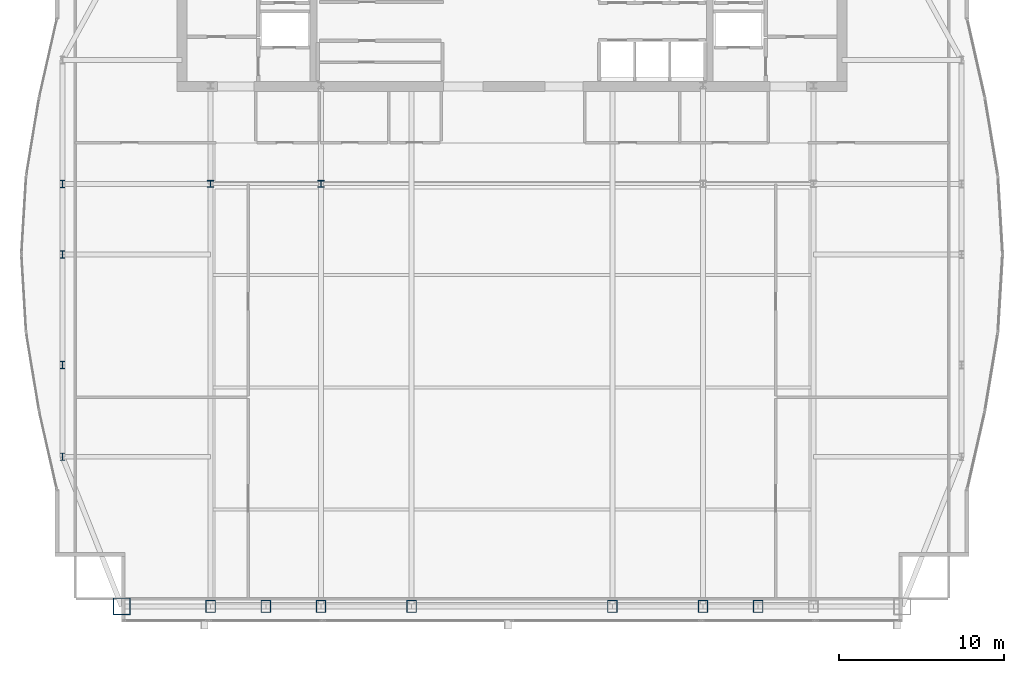
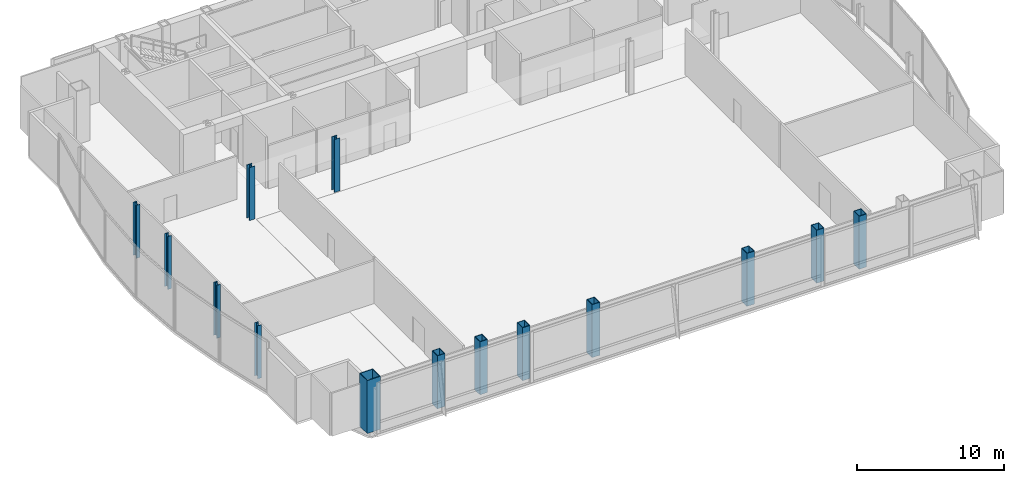
# One storey, part 1 of 28: 14 columns.
"""IFC4 building model written with IfcOpenShell, lengths in metres."""

import ifcopenshell
import ifcopenshell.guid

model = None  # the IFC model being written
_history = None  # IfcOwnerHistory: only IFC2X3 demands one
_inside = {}  # id of a spatial element -> (the spatial element, [elements in it])
_under = {}  # id of a project, library or spatial element -> (it, [spatial elements below it])
_declared = {}  # id of a project -> (the project, [libraries it declares])
_typed = {}  # id of a type object -> (the type object, [elements of that type])
_made_of = {}  # id of a material, layer set ... -> (it, [elements and type objects made of it])


def new_model(schema):
    """Start an empty IFC model of exactly this schema.

    Asked for "IFC4X3", IfcOpenShell would pick the latest addendum, in which some entities
    have other attributes; the version numbers below select the first issue.
    IFC2X3 requires an IfcOwnerHistory on every rooted entity: one is made here for all.
    """
    global model, _history
    if schema == "IFC4X3":
        model = ifcopenshell.file(schema_version=(4, 3, 0, 0))
    else:
        model = ifcopenshell.file(schema=schema)
    _inside.clear()
    _under.clear()
    _declared.clear()
    _typed.clear()
    _made_of.clear()
    _history = None
    if model.schema == "IFC2X3":
        org = make("IfcOrganization", Name="unknown")
        user = make(
            "IfcPersonAndOrganization",
            ThePerson=make("IfcPerson", FamilyName="unknown"),
            TheOrganization=org,
        )
        app = make(
            "IfcApplication",
            ApplicationDeveloper=org,
            Version="unknown",
            ApplicationFullName="unknown",
            ApplicationIdentifier="unknown",
        )
        _history = make(
            "IfcOwnerHistory",
            OwningUser=user,
            OwningApplication=app,
            ChangeAction="ADDED",
            CreationDate=0,
        )
    return model


def make(cls, **values):
    """One entity of the class cls with the attributes given. An attribute that is None is left unset."""
    return model.create_entity(
        cls, **{name: value for name, value in values.items() if value is not None}
    )


def rooted(cls, **values):
    """An entity with a GlobalId (a new one), such as an element, a storey or a relation."""
    return make(cls, GlobalId=ifcopenshell.guid.new(), OwnerHistory=_history, **values)


def si_unit(unit_type, name, prefix=None):
    """IfcSIUnit, for example si_unit("LENGTHUNIT", "METRE", prefix="MILLI")."""
    return make("IfcSIUnit", UnitType=unit_type, Prefix=prefix, Name=name)


def assignment(units):
    """IfcUnitAssignment: the units of a project."""
    return None if units is None else make("IfcUnitAssignment", Units=units)


def point(xyz):
    """IfcCartesianPoint."""
    return None if xyz is None else make("IfcCartesianPoint", Coordinates=xyz)


def direction(xyz):
    """IfcDirection."""
    return None if xyz is None else make("IfcDirection", DirectionRatios=xyz)


def frame(location, z_axis=None, x_axis=None):
    """IfcAxis2Placement3D, a coordinate frame: its origin and axes. An axis left out is left unset."""
    return make(
        "IfcAxis2Placement3D",
        Location=point(location),
        Axis=direction(z_axis),
        RefDirection=direction(x_axis),
    )


def frame_2d(location, x_axis=None):
    """IfcAxis2Placement2D, a coordinate frame in the plane: its origin and x axis."""
    return make(
        "IfcAxis2Placement2D", Location=point(location), RefDirection=direction(x_axis)
    )


def origin():
    """The frame at (0, 0, 0) with its axes left unset."""
    return frame((0.0, 0.0, 0.0))


def origin_2d():
    """The frame at (0, 0) in the plane with its x axis left unset."""
    return frame_2d((0.0, 0.0))


def place(relative_to, where):
    """IfcLocalPlacement: puts the frame where relative to a parent placement (None: the world)."""
    return make(
        "IfcLocalPlacement", PlacementRelTo=relative_to, RelativePlacement=where
    )


def context(
    kind, dimensions, precision=None, world=None, true_north=None, identifier=None
):
    """IfcGeometricRepresentationContext, for example the 3D "Model" context."""
    return make(
        "IfcGeometricRepresentationContext",
        ContextIdentifier=identifier,
        ContextType=kind,
        CoordinateSpaceDimension=dimensions,
        Precision=precision,
        WorldCoordinateSystem=world,
        TrueNorth=true_north,
    )


def subcontext(parent, identifier, kind, view, scale=None):
    """IfcGeometricRepresentationSubContext, for example "Body" below "Model"."""
    return make(
        "IfcGeometricRepresentationSubContext",
        ContextIdentifier=identifier,
        ContextType=kind,
        ParentContext=parent,
        TargetScale=scale,
        TargetView=view,
    )


def project(units=None, contexts=None):
    """IfcProject with its units and contexts."""
    return rooted(
        "IfcProject",
        Name="project",
        RepresentationContexts=contexts,
        UnitsInContext=assignment(units),
    )


def spatial(cls, under=None, at=None, **own):
    """A site, building, storey or space (cls), placed at a placement, below another one or the project."""
    s = rooted(cls, ObjectPlacement=at, **own)
    if under is not None:
        _under.setdefault(under.id(), (under, []))[1].append(s)
    return s


def profile(cls, at=None, kind="AREA", **sizes):
    """A parametric profile (cls). Its sizes go by their IFC names, for example OverallWidth=200.0."""
    return make(cls, ProfileType=kind, Position=at, **sizes)


def hollow_rectangle(**sizes):
    """IfcRectangleHollowProfileDef."""
    return profile("IfcRectangleHollowProfileDef", **sizes)


def i_section(**sizes):
    """IfcIShapeProfileDef."""
    return profile("IfcIShapeProfileDef", **sizes)


def extrude(swept, where, along, depth):
    """IfcExtrudedAreaSolid: the profile swept, set in the frame where, extruded along a direction by depth."""
    return make(
        "IfcExtrudedAreaSolid",
        SweptArea=swept,
        Position=where,
        ExtrudedDirection=direction(along),
        Depth=depth,
    )


def shape(context_of_items, identifier, shape_type, items):
    """IfcShapeRepresentation: the items that make up one representation, for example the "Body"."""
    return make(
        "IfcShapeRepresentation",
        ContextOfItems=context_of_items,
        RepresentationIdentifier=identifier,
        RepresentationType=shape_type,
        Items=items,
    )


def material(Name=None, Category=None):
    """IfcMaterial."""
    return make("IfcMaterial", Name=Name, Category=Category)


def material_profile(
    of_material, cross_section, Name=None, Category=None, Priority=None
):
    """IfcMaterialProfile: a cross section and its material."""
    return make(
        "IfcMaterialProfile",
        Name=Name,
        Material=of_material,
        Profile=cross_section,
        Priority=Priority,
        Category=Category,
    )


def profile_set(profiles, Name=None, composite=None):
    """IfcMaterialProfileSet."""
    return make(
        "IfcMaterialProfileSet",
        Name=Name,
        MaterialProfiles=profiles,
        CompositeProfile=composite,
    )


def made_of(thing, what):
    """Note that an element or type object is made of a material, layer set ...; save() writes the relation."""
    if what is not None:
        _made_of.setdefault(what.id(), (what, []))[1].append(thing)
    return thing


def type_object(cls, material=None, **own):
    """A type object (cls), such as IfcWallType, which elements share."""
    return made_of(rooted(cls, **own), material)


def element(
    cls,
    number,
    at=None,
    inside=None,
    cuts=None,
    type_object=None,
    material=None,
    context=None,
    identifier="Body",
    shape_type=None,
    held_by="IfcProductDefinitionShape",
    body=None,
    shapes=None,
    **own,
):
    """One element of the class cls, such as IfcWall. Its Tag is "e" and its number.

    at: its placement. inside: the storey or other place that contains it. cuts: it is an
    opening in that element (IfcRelVoidsElement). A single representation is given by context,
    identifier, shape_type and body (its items); several are given by shapes. held_by: the class
    of the entity that holds the representations. save() writes the other relations.
    """
    e = rooted(cls, Tag="e%d" % number, ObjectPlacement=at, **own)
    if body is not None:
        shapes = [shape(context, identifier, shape_type, body)]
    if shapes is not None:
        e.Representation = make(held_by, Representations=shapes)
    if inside is not None:
        _inside.setdefault(inside.id(), (inside, []))[1].append(e)
    if cuts is not None:
        rooted(
            "IfcRelVoidsElement", RelatingBuildingElement=cuts, RelatedOpeningElement=e
        )
    if type_object is not None:
        _typed.setdefault(type_object.id(), (type_object, []))[1].append(e)
    return made_of(e, material)


def aggregate(whole, parts):
    """IfcRelAggregates: a whole, such as a stair, and the parts it consists of."""
    return rooted("IfcRelAggregates", RelatingObject=whole, RelatedObjects=parts)


def save(model, path):
    """Write the relations noted so far, then the file.

    IfcRelAggregates (storeys below a building ...), IfcRelContainedInSpatialStructure (elements
    in a storey), IfcRelDefinesByType, IfcRelAssociatesMaterial and IfcRelDeclares: one each for
    every whole, place, type object, material and project.
    """
    for whole, parts in _under.values():
        aggregate(whole, parts)
    for where, things in _inside.values():
        rooted(
            "IfcRelContainedInSpatialStructure",
            RelatedElements=things,
            RelatingStructure=where,
        )
    for kind, things in _typed.values():
        rooted("IfcRelDefinesByType", RelatedObjects=things, RelatingType=kind)
    for what, things in _made_of.values():
        rooted("IfcRelAssociatesMaterial", RelatedObjects=things, RelatingMaterial=what)
    for by, libraries in _declared.values():
        rooted("IfcRelDeclares", RelatingContext=by, RelatedDefinitions=libraries)
    model.write(path)


model = new_model("IFC4")

# Units and contexts
model_context = context("Model", 3, precision=1e-05, world=origin(), true_north=direction((0.0, 1.0)))
body_context = subcontext(model_context, "Body", "Model", "MODEL_VIEW")
ifc_project = project(units=[si_unit("LENGTHUNIT", "METRE"), si_unit("AREAUNIT", "SQUARE_METRE"), si_unit("VOLUMEUNIT", "CUBIC_METRE"), si_unit("PLANEANGLEUNIT", "RADIAN"), si_unit("MASSUNIT", "GRAM", prefix="KILO")], contexts=[model_context])

# Site, building, storey
site_placement = place(None, origin())
site = spatial("IfcSite", under=ifc_project, at=site_placement, CompositionType="ELEMENT")
building_placement = place(site_placement, origin())
building = spatial("IfcBuilding", under=site, at=building_placement, Name="Khoronbel Lancet Exchange", CompositionType="ELEMENT")
storey_placement = place(building_placement, frame((0.0, 0.0, 265.39990234375)))
storey = spatial("IfcBuildingStorey", under=building, at=storey_placement, Name="L68", CompositionType="ELEMENT", Elevation=265.39990234375)

# Columns
ifc_material_1 = material(Name="Steel S460", Category="steel")
ifc_material_profile_1 = material_profile(ifc_material_1, hollow_rectangle(XDim=0.60009765625, YDim=0.75, WallThickness=0.044921875, at=origin_2d()), Name="BOX 750x600x45")
ifc_profile_set_1 = profile_set([ifc_material_profile_1], Name="Steel S460")
column_type_1 = type_object("IfcColumnType", Name="COL-EC3", PredefinedType="COLUMN", material=ifc_profile_set_1)
for number, where, z_axis, x_axis, name in (
    (1, (18.22509765625, 10.14990234375, 0.0), (0.0, 0.0, 1.0), (1.0, 0.0, 0.0), "Structural column SC-W1 L68"),
    (2, (21.5625, 10.14990234375, 0.0), (0.0, 0.0, 1.0), (1.0, 0.0, 0.0), "Structural column SC-WM L68"),
    (3, (24.89990234375, 10.14990234375, 0.0), (0.0, 0.0, 1.0), (1.0, 0.0, 0.0), "Structural column SC-W2 L68"),
    (4, (30.375, 10.14990234375, 0.0), (0.0, 0.0, 1.0), (1.0, 0.0, 0.0), "Structural column SC-C1 L68"),
    (5, (42.52490234375, 10.14990234375, 0.0), (0.0, 0.0, 1.0), (1.0, 0.0, 0.0), "Structural column SC-C2 L68"),
    (6, (48.0, 10.14990234375, 0.0), (0.0, 0.0, 1.0), (1.0, 0.0, 0.0), "Structural column SC-E1 L68"),
    (7, (51.33740234375, 10.14990234375, 0.0), (0.0, 0.0, 1.0), (1.0, 0.0, 0.0), "Structural column SC-EM L68"),
):
    element("IfcColumn", number, at=place(storey_placement, frame(where, z_axis=z_axis, x_axis=x_axis)), inside=storey, type_object=column_type_1, Name=name, PredefinedType="COLUMN", context=body_context, shape_type="SweptSolid", body=[
        extrude(hollow_rectangle(XDim=0.60009765625, YDim=0.75, WallThickness=0.044921875, at=origin_2d()), origin(), (0.0, 0.0, 1.0), 4.400146484375),
    ])
ifc_material_2 = material(Name="Steel S355", Category="steel")
ifc_material_profile_2 = material_profile(ifc_material_2, i_section(OverallWidth=0.406005859375, OverallDepth=0.416015625, WebThickness=0.02978515625, FlangeThickness=0.048095703125, at=origin_2d()), Name="HD 400x382")
ifc_profile_set_2 = profile_set([ifc_material_profile_2], Name="Steel S355")
column_type_2 = type_object("IfcColumnType", Name="COL-IC3", PredefinedType="COLUMN", material=ifc_profile_set_2)
for number, where, z_axis, x_axis, name in (
    (8, (18.22509765625, 35.699951171875, 0.0), (0.0, 0.0, 1.0), (1.0, 0.0, 0.0), "Spine gravity column TC1 L68"),
    (9, (24.89990234375, 35.699951171875, 0.0), (0.0, 0.0, 1.0), (1.0, 0.0, 0.0), "Spine gravity column TC2 L68"),
):
    element("IfcColumn", number, at=place(storey_placement, frame(where, z_axis=z_axis, x_axis=x_axis)), inside=storey, type_object=column_type_2, Name=name, PredefinedType="COLUMN", context=body_context, shape_type="SweptSolid", body=[
        extrude(i_section(OverallWidth=0.406005859375, OverallDepth=0.416015625, WebThickness=0.02978515625, FlangeThickness=0.048095703125, at=origin_2d()), origin(), (0.0, 0.0, 1.0), 4.400146484375),
    ])
ifc_material_profile_3 = material_profile(ifc_material_2, i_section(OverallWidth=0.300048828125, OverallDepth=0.449951171875, WebThickness=0.013916015625, FlangeThickness=0.02587890625, at=origin_2d()), Name="HEB 450")
ifc_profile_set_3 = profile_set([ifc_material_profile_3], Name="Steel S355")
column_type_3 = type_object("IfcColumnType", Name="COL-LC2", PredefinedType="COLUMN", material=ifc_profile_set_3)
for number, where, z_axis, x_axis, name in (
    (10, (9.27001953125, 19.199951171875, 0.0), (0.0, 0.0, 1.0), (1.0, 0.0, 0.0), "Structural column WC-1 L68"),
    (11, (9.27001953125, 24.75, 0.0), (0.0, 0.0, 1.0), (1.0, 0.0, 0.0), "Structural column WC-2 L68"),
    (12, (9.27001953125, 31.425048828125, 0.0), (0.0, 0.0, 1.0), (1.0, 0.0, 0.0), "Structural column WC-M L68"),
    (13, (9.27001953125, 35.699951171875, 0.0), (0.0, 0.0, 1.0), (1.0, 0.0, 0.0), "Structural column WC-3 L68"),
):
    element("IfcColumn", number, at=place(storey_placement, frame(where, z_axis=z_axis, x_axis=x_axis)), inside=storey, type_object=column_type_3, Name=name, PredefinedType="COLUMN", context=body_context, shape_type="SweptSolid", body=[
        extrude(i_section(OverallWidth=0.300048828125, OverallDepth=0.449951171875, WebThickness=0.013916015625, FlangeThickness=0.02587890625, at=origin_2d()), origin(), (0.0, 0.0, 1.0), 4.400146484375),
    ])
ifc_material_profile_4 = material_profile(ifc_material_1, hollow_rectangle(XDim=1.050048828125, YDim=1.050048828125, WallThickness=0.054931640625, at=origin_2d()), Name="BOX 1050x1050x55")
ifc_profile_set_4 = profile_set([ifc_material_profile_4], Name="Steel S460")
column_type_4 = type_object("IfcColumnType", Name="COL-MC6", PredefinedType="COLUMN", material=ifc_profile_set_4)
column_placement = place(storey_placement, frame((12.85009765625, 10.14990234375, 0.0), z_axis=(0.0, 0.0, 1.0), x_axis=(1.0, 0.0, 0.0)))
element("IfcColumn", 14, at=column_placement, inside=storey, type_object=column_type_4, Name="Structural column MC-SW L68", PredefinedType="COLUMN", context=body_context, shape_type="SweptSolid", body=[
    extrude(hollow_rectangle(XDim=1.050048828125, YDim=1.050048828125, WallThickness=0.054931640625, at=origin_2d()), origin(), (0.0, 0.0, 1.0), 4.400146484375),
])

save(model, "model.ifc")
